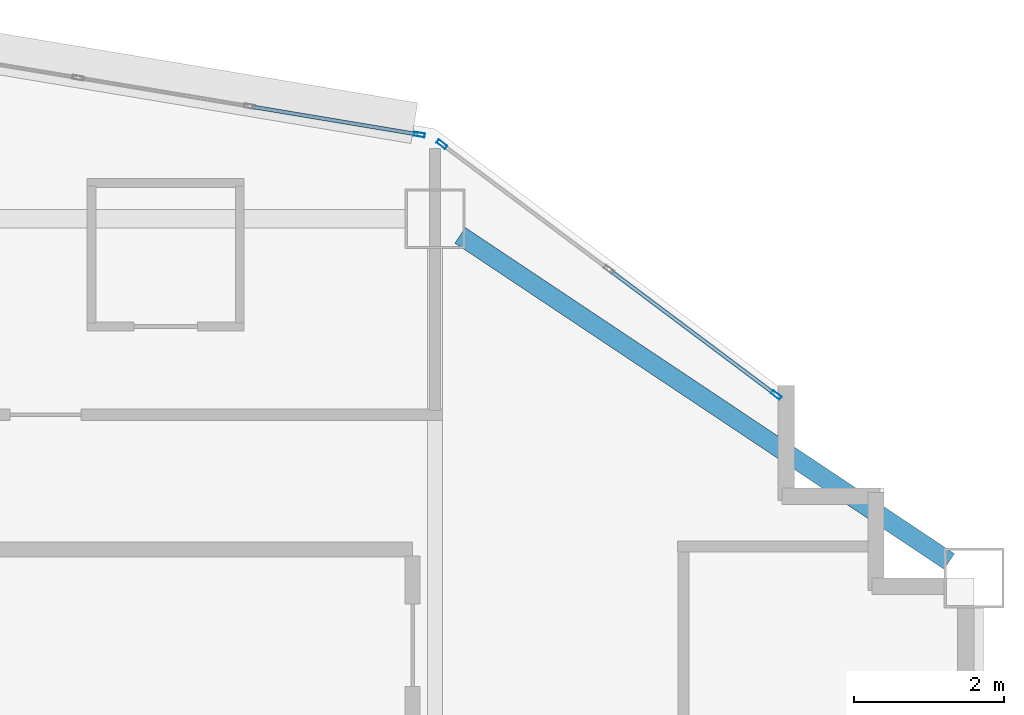
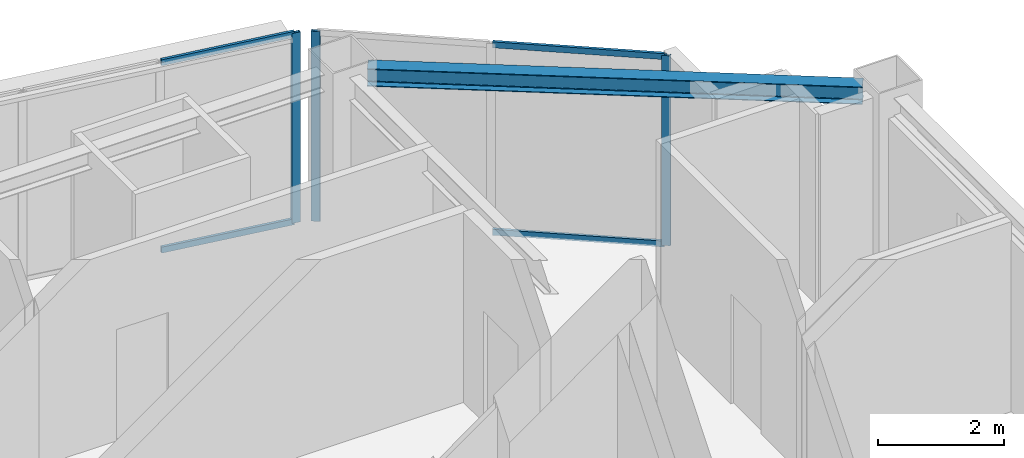
# One storey, part 3 of 11: 7 members, 1 beam, 2 elements without a shape of their own.
"""IFC4 building model written with IfcOpenShell, lengths in metres."""

from ifc_helpers import new_model, si_unit, direction, frame, origin, origin_2d, place, context, subcontext, project, spatial, hollow_rectangle, i_section, extrude, material, layer, layer_set, material_profile, profile_set, type_object, element, aggregate, save


model = new_model("IFC4")

# Units and contexts
model_context = context("Model", 3, precision=1e-05, world=origin(), true_north=direction((0.0, 1.0)))
body_context = subcontext(model_context, "Body", "Model", "MODEL_VIEW")
ifc_project = project(units=[si_unit("LENGTHUNIT", "METRE"), si_unit("AREAUNIT", "SQUARE_METRE"), si_unit("VOLUMEUNIT", "CUBIC_METRE"), si_unit("PLANEANGLEUNIT", "RADIAN"), si_unit("MASSUNIT", "GRAM", prefix="KILO")], contexts=[model_context])

# Site, building, storey
site_placement = place(None, origin())
site = spatial("IfcSite", under=ifc_project, at=site_placement, CompositionType="ELEMENT")
building_placement = place(site_placement, origin())
building = spatial("IfcBuilding", under=site, at=building_placement, Name="Haolan Belvedere Tower", CompositionType="ELEMENT")
storey_placement = place(building_placement, frame((0.0, 0.0, 250.60009765625)))
storey = spatial("IfcBuildingStorey", under=building, at=storey_placement, Name="L63", CompositionType="ELEMENT", Elevation=250.60009765625)

# Beam
ifc_material_1 = material(Name="Steel Q355B", Category="steel")
ifc_material_profile_1 = material_profile(ifc_material_1, i_section(OverallWidth=0.25, OverallDepth=0.340087890625, WebThickness=0.009033203125, FlangeThickness=0.013916015625, FilletRadius=0.02001953125, at=origin_2d()), Name="Steel Q355B")
ifc_profile_set_1 = profile_set([ifc_material_profile_1], Name="Steel Q355B")
beam_type = type_object("IfcBeamType", Name="BM-HM340x250x9x14", PredefinedType="SPANDREL", material=ifc_profile_set_1)
beam_placement = place(storey_placement, frame((45.932861328125, 50.17822265625, 3.5), z_axis=(0.832040729016, -0.55471454394, 0.0), x_axis=(0.55471454394, 0.832040729016, 0.0)))
element("IfcBeam", 1, at=beam_placement, inside=storey, type_object=beam_type, Name="L63 spandrel girder MC-T3-N2-MC-T3-NE", PredefinedType="SPANDREL", context=body_context, shape_type="SweptSolid", body=[
    extrude(i_section(OverallWidth=0.25, OverallDepth=0.340087890625, WebThickness=0.009033203125, FlangeThickness=0.013916015625, FilletRadius=0.02001953125, at=origin_2d()), origin(), (0.0, 0.0, 1.0), 7.853515625),
])

# Curtain wall, members
ifc_material_2 = material(Name="Anodised champagne-silver aluminium 6063-T6 and Low-E glass", Category="aluminium")
ifc_layer = layer(ifc_material_2, 0.14501953125, Name="Anodised champagne-silver aluminium 6063-T6 and Low-E glass")
ifc_layer_set = layer_set([ifc_layer], Name="Anodised champagne-silver aluminium 6063-T6 and Low-E glass")
curtain_wall_type = type_object("IfcCurtainWallType", Name="CW-SYS-05", PredefinedType="NOTDEFINED", material=ifc_layer_set)
curtain_wall_1_placement = place(storey_placement, origin())
curtain_wall_1 = element("IfcCurtainWall", 2, at=curtain_wall_1_placement, inside=storey, type_object=curtain_wall_type, Name="L63 CW-SYS-05 ribbon curtain wall 8.1", PredefinedType="NOTDEFINED")
ifc_material_3 = material(Name="Anodised aluminium 6063-T6", Category="aluminium")
ifc_material_profile_2 = material_profile(ifc_material_3, hollow_rectangle(XDim=0.053955078125, YDim=0.14501953125, WallThickness=0.00390625, at=origin_2d()), Name="Anodised aluminium 6063-T6")
ifc_profile_set_2 = profile_set([ifc_material_profile_2], Name="Anodised aluminium 6063-T6")
member_type_1 = type_object("IfcMemberType", Name="CW-SYS-05-MUL", PredefinedType="MULLION", material=ifc_profile_set_2)
member_1_placement = place(storey_placement, frame((50.156494140625, 48.045166015625, 0.0), z_axis=(0.0, 0.0, 1.0), x_axis=(-0.600002837806, -0.799997871638, 0.0)))
member_1 = element("IfcMember", 3, at=member_1_placement, type_object=member_type_1, Name="CW-05 mullion 1", PredefinedType="MULLION", context=body_context, shape_type="SweptSolid", body=[
    extrude(hollow_rectangle(XDim=0.053955078125, YDim=0.14501953125, WallThickness=0.00390625, at=origin_2d()), origin(), (0.0, 0.0, 1.0), 3.669921875),
])
member_2_placement = place(storey_placement, frame((45.689208984375, 51.395751953125, 0.0), z_axis=(0.0, 0.0, 1.0), x_axis=(-0.600002837806, -0.799997871638, 0.0)))
member_2 = element("IfcMember", 4, at=member_2_placement, type_object=member_type_1, Name="CW-05 mullion 3", PredefinedType="MULLION", context=body_context, shape_type="SweptSolid", body=[
    extrude(hollow_rectangle(XDim=0.053955078125, YDim=0.14501953125, WallThickness=0.00390625, at=origin_2d()), origin(), (0.0, 0.0, 1.0), 3.669921875),
])

# Curtain wall, member
curtain_wall_2_placement = place(storey_placement, origin())
curtain_wall_2 = element("IfcCurtainWall", 5, at=curtain_wall_2_placement, inside=storey, type_object=curtain_wall_type, Name="L63 CW-SYS-05 ribbon curtain wall 9.1", PredefinedType="NOTDEFINED")
member_3_placement = place(storey_placement, frame((45.390869140625, 51.5234375, 0.0), z_axis=(0.0, 0.0, 1.0), x_axis=(-0.164405962825, -0.98639276122, 0.0)))
member_3 = element("IfcMember", 6, at=member_3_placement, type_object=member_type_1, Name="CW-05 mullion 1", PredefinedType="MULLION", context=body_context, shape_type="SweptSolid", body=[
    extrude(hollow_rectangle(XDim=0.053955078125, YDim=0.14501953125, WallThickness=0.00390625, at=origin_2d()), origin(), (0.0, 0.0, 1.0), 3.669921875),
])

# Member
ifc_material_profile_3 = material_profile(ifc_material_3, hollow_rectangle(XDim=0.050048828125, YDim=0.114990234375, WallThickness=0.00390625, at=origin_2d()), Name="Anodised aluminium 6063-T6")
ifc_profile_set_3 = profile_set([ifc_material_profile_3], Name="Anodised aluminium 6063-T6")
member_type_2 = type_object("IfcMemberType", Name="CW-SYS-05-TRN", PredefinedType="USERDEFINED", material=ifc_profile_set_3)
member_4_placement = place(storey_placement, frame((50.134765625, 48.061279296875, 0.02490234375), z_axis=(-0.799957200433, 0.60005706185, 0.0), x_axis=(-0.60005706185, -0.799957200433, 0.0)))
member_4 = element("IfcMember", 7, at=member_4_placement, type_object=member_type_2, Name="CW-05 transom 1.1", ObjectType="TRANSOM", PredefinedType="USERDEFINED", context=body_context, shape_type="SweptSolid", body=[
    extrude(hollow_rectangle(XDim=0.050048828125, YDim=0.114990234375, WallThickness=0.00390625, at=origin_2d()), origin(), (0.0, 0.0, 1.0), 2.73828125),
])

member_5_placement = place(storey_placement, frame((50.134765625, 48.061279296875, 3.64501953125), z_axis=(-0.799957200433, 0.60005706185, 0.0), x_axis=(-0.60005706185, -0.799957200433, 0.0)))
member_5 = element("IfcMember", 8, at=member_5_placement, type_object=member_type_2, Name="CW-05 transom 1.2", ObjectType="TRANSOM", PredefinedType="USERDEFINED", context=body_context, shape_type="SweptSolid", body=[
    extrude(hollow_rectangle(XDim=0.050048828125, YDim=0.114990234375, WallThickness=0.00390625, at=origin_2d()), origin(), (0.0, 0.0, 1.0), 2.73828125),
])

aggregate(curtain_wall_1, [member_1, member_2, member_4, member_5])

member_6_placement = place(storey_placement, frame((45.364013671875, 51.52783203125, 0.02490234375), z_axis=(-0.986390982779, 0.164416632651, 0.0), x_axis=(-0.164416632651, -0.986390982779, 0.0)))
member_6 = element("IfcMember", 9, at=member_6_placement, type_object=member_type_2, Name="CW-05 transom 1.1", ObjectType="TRANSOM", PredefinedType="USERDEFINED", context=body_context, shape_type="SweptSolid", body=[
    extrude(hollow_rectangle(XDim=0.050048828125, YDim=0.114990234375, WallThickness=0.00390625, at=origin_2d()), origin(), (0.0, 0.0, 1.0), 2.24365234375),
])

member_7_placement = place(storey_placement, frame((45.364013671875, 51.52783203125, 3.64501953125), z_axis=(-0.986390982779, 0.164416632651, 0.0), x_axis=(-0.164416632651, -0.986390982779, 0.0)))
member_7 = element("IfcMember", 10, at=member_7_placement, type_object=member_type_2, Name="CW-05 transom 1.2", ObjectType="TRANSOM", PredefinedType="USERDEFINED", context=body_context, shape_type="SweptSolid", body=[
    extrude(hollow_rectangle(XDim=0.050048828125, YDim=0.114990234375, WallThickness=0.00390625, at=origin_2d()), origin(), (0.0, 0.0, 1.0), 2.24365234375),
])

aggregate(curtain_wall_2, [member_3, member_6, member_7])

save(model, "model.ifc")
